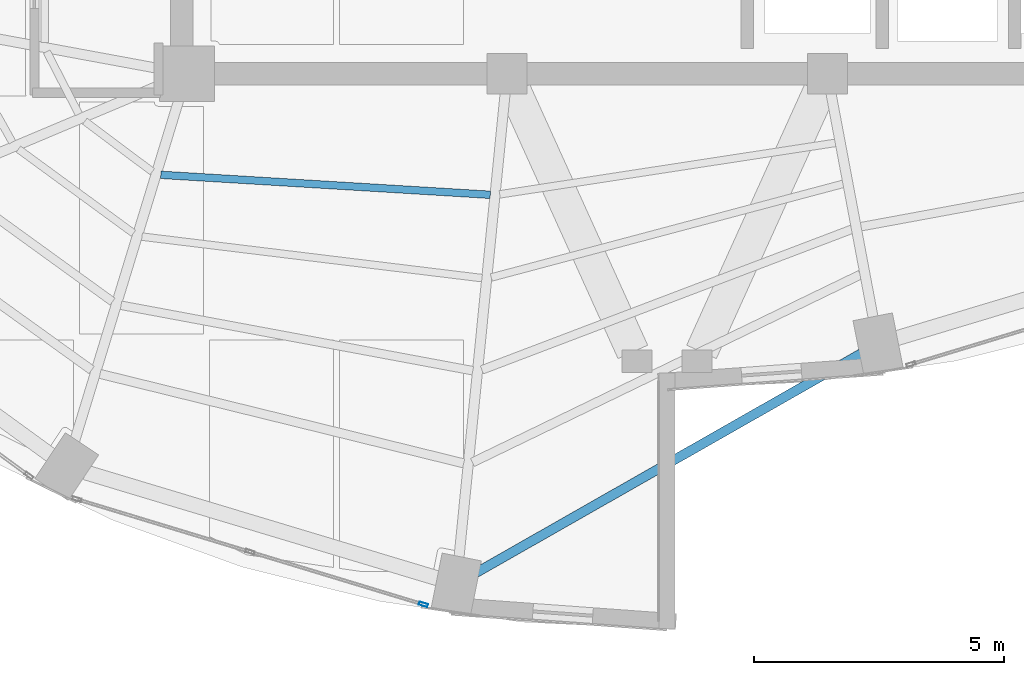
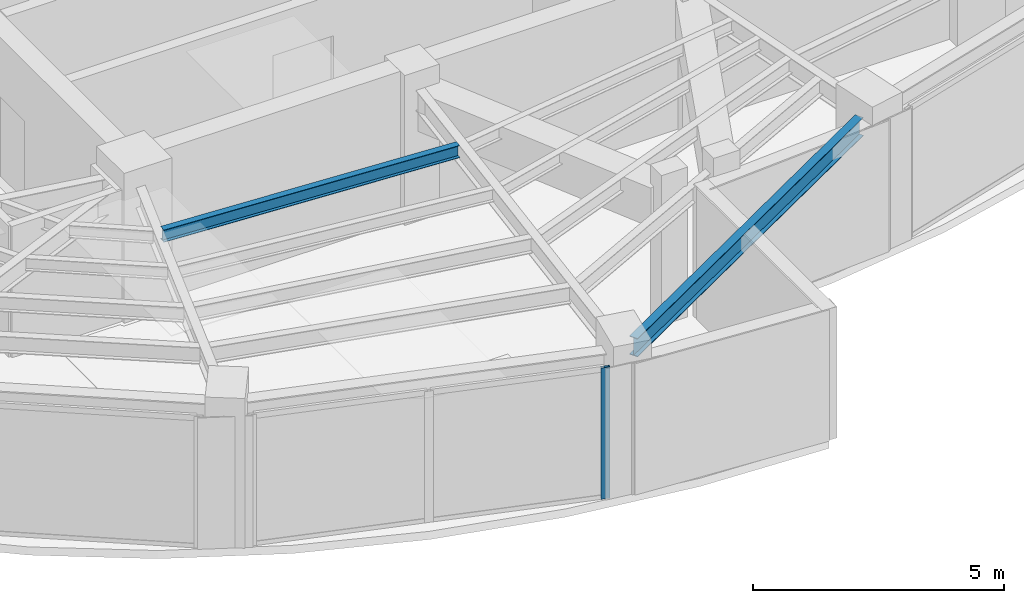
# One storey, part 5 of 22: 2 beams, 1 member, 1 element without a shape of its own.
"""IFC4 building model written with IfcOpenShell, lengths in metres."""

from ifc_helpers import new_model, si_unit, direction, frame, origin, origin_2d, place, context, subcontext, project, spatial, hollow_rectangle, i_section, extrude, material, layer, layer_set, material_profile, profile_set, type_object, element, aggregate, save


model = new_model("IFC4")

# Units and contexts
model_context = context("Model", 3, precision=1e-05, world=origin(), true_north=direction((0.0, 1.0)))
body_context = subcontext(model_context, "Body", "Model", "MODEL_VIEW")
ifc_project = project(units=[si_unit("LENGTHUNIT", "METRE"), si_unit("AREAUNIT", "SQUARE_METRE"), si_unit("VOLUMEUNIT", "CUBIC_METRE"), si_unit("PLANEANGLEUNIT", "RADIAN"), si_unit("MASSUNIT", "GRAM", prefix="KILO")], contexts=[model_context])

# Site, building, storey
site_placement = place(None, origin())
site = spatial("IfcSite", under=ifc_project, at=site_placement, CompositionType="ELEMENT")
building_placement = place(site_placement, origin())
building = spatial("IfcBuilding", under=site, at=building_placement, Name="Lazwardi Medical Tower", CompositionType="ELEMENT")
storey_placement = place(building_placement, frame((0.0, 0.0, 242.256103515625)))
storey = spatial("IfcBuildingStorey", under=building, at=storey_placement, Name="L63", CompositionType="ELEMENT", Elevation=242.256103515625)

# Beams
ifc_material_1 = material(Name="Steel S355", Category="steel")
ifc_material_profile_1 = material_profile(ifc_material_1, i_section(OverallWidth=0.14990234375, OverallDepth=0.300048828125, WebThickness=0.007080078125, FlangeThickness=0.0107421875, at=origin_2d()), Name="IPE 300")
ifc_profile_set_1 = profile_set([ifc_material_profile_1], Name="Steel S355")
beam_type_1 = type_object("IfcBeamType", Name="BM-SJ-03", PredefinedType="JOIST", material=ifc_profile_set_1)
beam_1_placement = place(storey_placement, frame((25.879150390625, 18.3798828125, 3.0478515625), z_axis=(0.998165515862, -0.060544223044, 0.0), x_axis=(0.060544223044, 0.998165515862, 0.0)))
element("IfcBeam", 1, at=beam_1_placement, inside=storey, type_object=beam_type_1, Name="Secondary joist SJ-03 R4 B15 L63", PredefinedType="JOIST", context=body_context, shape_type="SweptSolid", body=[
    extrude(i_section(OverallWidth=0.14990234375, OverallDepth=0.300048828125, WebThickness=0.007080078125, FlangeThickness=0.0107421875, at=origin_2d()), origin(), (0.0, 0.0, 1.0), 6.59716796875),
])
ifc_material_profile_2 = material_profile(ifc_material_1, i_section(OverallWidth=0.18994140625, OverallDepth=0.449951171875, WebThickness=0.009521484375, FlangeThickness=0.0146484375, at=origin_2d()), Name="IPE 450")
ifc_profile_set_2 = profile_set([ifc_material_profile_2], Name="Steel S355")
beam_type_2 = type_object("IfcBeamType", Name="BM-SP-01", PredefinedType="SPANDREL", material=ifc_profile_set_2)
beam_2_placement = place(storey_placement, frame((32.125, 10.394775390625, 2.972900390625), z_axis=(0.868954808466, 0.494891443494, 0.0), x_axis=(-0.494891443494, 0.868954808466, 0.0)))
element("IfcBeam", 2, at=beam_2_placement, inside=storey, type_object=beam_type_2, Name="Spandrel beam SP-01 B16 L63", PredefinedType="SPANDREL", context=body_context, shape_type="SweptSolid", body=[
    extrude(i_section(OverallWidth=0.18994140625, OverallDepth=0.449951171875, WebThickness=0.009521484375, FlangeThickness=0.0146484375, at=origin_2d()), origin(), (0.0, 0.0, 1.0), 8.918701171875),
])

# Curtain wall, member
ifc_material_2 = material(Name="Anodised bronze aluminium and solar control glazing", Category="aluminium")
ifc_layer = layer(ifc_material_2, 0.18994140625)
ifc_layer_set = layer_set([ifc_layer], Name="Anodised bronze aluminium and solar control glazing")
curtain_wall_type = type_object("IfcCurtainWallType", Name="CW-SYS-04", PredefinedType="NOTDEFINED", material=ifc_layer_set)
curtain_wall_placement = place(storey_placement, origin())
curtain_wall = element("IfcCurtainWall", 3, at=curtain_wall_placement, inside=storey, type_object=curtain_wall_type, Name="L63 Unitised bronze curtain wall CW-04", PredefinedType="NOTDEFINED")
ifc_material_3 = material(Name="Anodised bronze aluminium", Category="aluminium")
ifc_material_profile_3 = material_profile(ifc_material_3, hollow_rectangle(XDim=0.06494140625, YDim=0.179931640625, WallThickness=0.00390625, at=origin_2d()), Name="ALU-MULLION 180x65x4")
ifc_profile_set_3 = profile_set([ifc_material_profile_3], Name="Anodised bronze aluminium")
member_type = type_object("IfcMemberType", Name="CW-MUL-03", PredefinedType="MULLION", material=ifc_profile_set_3)
member_placement = place(storey_placement, frame((31.126953125, 9.79296875, 0.0), z_axis=(0.0, 0.0, 1.0), x_axis=(0.290581889515, 0.956850126972, 0.0)))
member = element("IfcMember", 4, at=member_placement, type_object=member_type, Name="CW-04 mullion 3", PredefinedType="MULLION", context=body_context, shape_type="SweptSolid", body=[
    extrude(hollow_rectangle(XDim=0.06494140625, YDim=0.179931640625, WallThickness=0.00390625, at=origin_2d()), origin(), (0.0, 0.0, 1.0), 3.197998046875),
])
aggregate(curtain_wall, [member])

save(model, "model.ifc")
